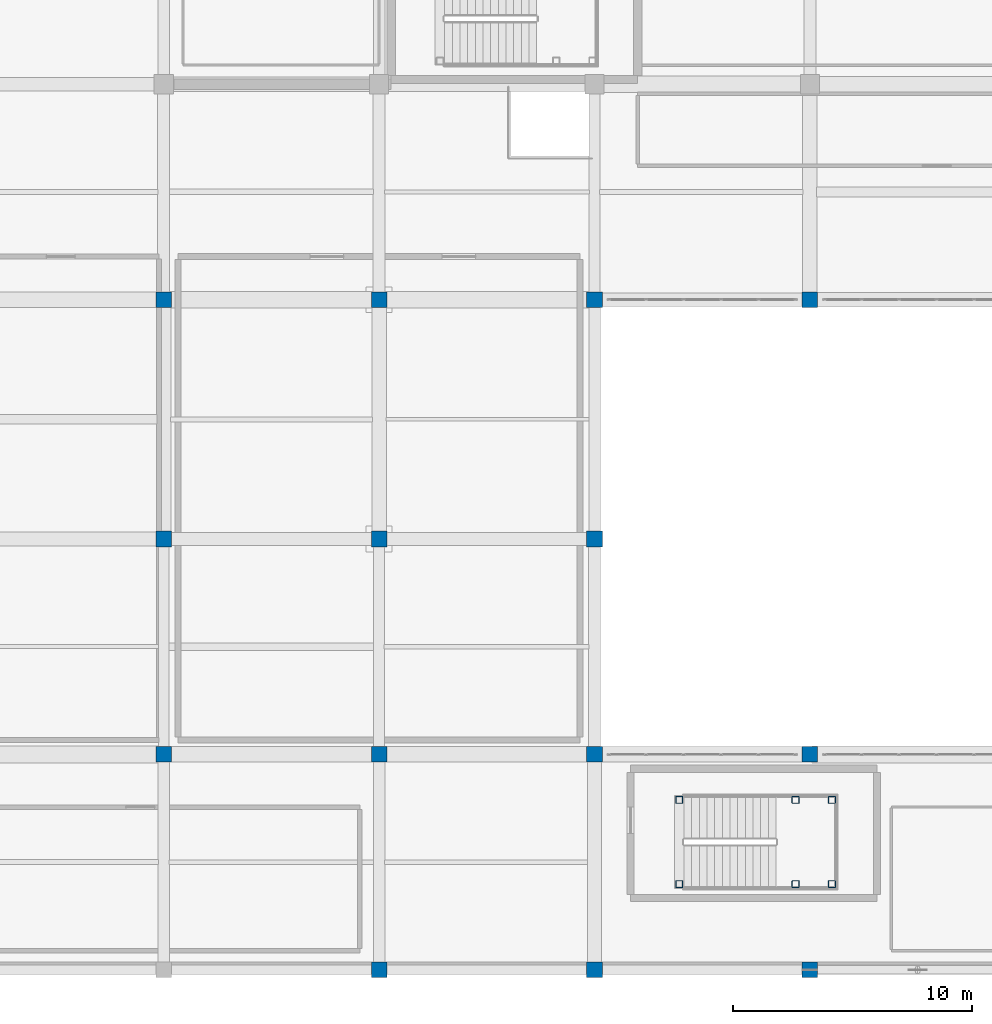
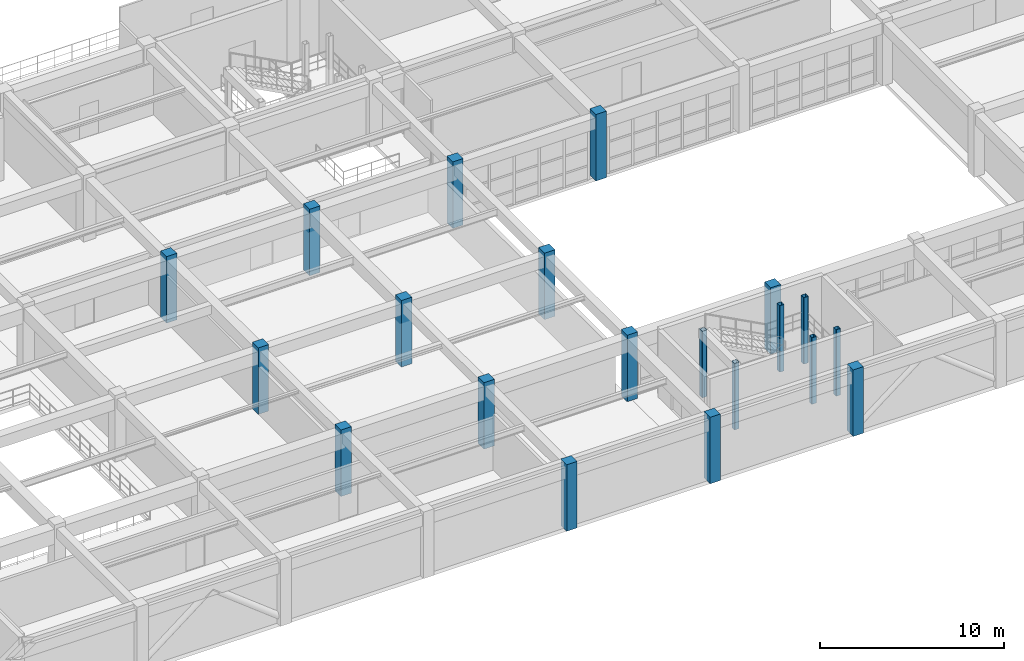
# One storey, part 5 of 133: 20 columns.
"""IFC4 building model written with IfcOpenShell, lengths in metres."""

from ifc_helpers import new_model, si_unit, direction, frame, origin, origin_2d, place, context, subcontext, project, spatial, rectangle, hollow_rectangle, extrude, material, material_profile, profile_set, type_object, element, save


model = new_model("IFC4")

# Units and contexts
model_context = context("Model", 3, precision=1e-05, world=origin(), true_north=direction((0.0, 1.0)))
body_context = subcontext(model_context, "Body", "Model", "MODEL_VIEW")
ifc_project = project(units=[si_unit("LENGTHUNIT", "METRE"), si_unit("AREAUNIT", "SQUARE_METRE"), si_unit("VOLUMEUNIT", "CUBIC_METRE"), si_unit("PLANEANGLEUNIT", "RADIAN"), si_unit("MASSUNIT", "GRAM", prefix="KILO")], contexts=[model_context])

# Site, building, storey
site_placement = place(None, origin())
site = spatial("IfcSite", under=ifc_project, at=site_placement, CompositionType="ELEMENT")
building_placement = place(site_placement, origin())
building = spatial("IfcBuilding", under=site, at=building_placement, Name="Miravela Opera House", CompositionType="ELEMENT")
storey_placement = place(building_placement, frame((0.0, 0.0, 5.10009765625)))
storey = spatial("IfcBuildingStorey", under=building, at=storey_placement, Name="L01", CompositionType="ELEMENT", Elevation=5.10009765625)

# Columns
ifc_material_1 = material(Name="Hollow structural steel ASTM A500 Gr. C", Category="steel")
ifc_material_profile_1 = material_profile(ifc_material_1, hollow_rectangle(XDim=0.300048828125, YDim=0.300048828125, WallThickness=0.01611328125, InnerFilletRadius=0.01611328125, OuterFilletRadius=0.031982421875, at=origin_2d()), Name="HSS300X300X16")
ifc_profile_set_1 = profile_set([ifc_material_profile_1])
column_type_1 = type_object("IfcColumnType", Name="STR-COL-HSS300", PredefinedType="COLUMN", material=ifc_profile_set_1)
for number, where, z_axis, x_axis, name in (
    (1, (120.5400390625, 3.580078125, 0.0), (0.0, 0.0, 1.0), (1.0, 0.0, 0.0), "Stair ST-10 Landing Support Column 1 (L01)"),
    (2, (120.5400390625, 7.10009765625, 0.0), (0.0, 0.0, 1.0), (1.0, 0.0, 0.0), "Stair ST-10 Landing Support Column 2 (L01)"),
    (3, (125.39990234375, 3.580078125, 0.0), (0.0, 0.0, 1.0), (1.0, 0.0, 0.0), "Stair ST-10 Landing Support Column 3 (L01)"),
    (4, (125.39990234375, 7.10009765625, 0.0), (0.0, 0.0, 1.0), (1.0, 0.0, 0.0), "Stair ST-10 Landing Support Column 4 (L01)"),
    (5, (126.919921875, 3.580078125, 0.0), (0.0, 0.0, 1.0), (1.0, 0.0, 0.0), "Stair ST-10 Landing Support Column 5 (L01)"),
    (6, (126.919921875, 7.10009765625, 0.0), (0.0, 0.0, 1.0), (1.0, 0.0, 0.0), "Stair ST-10 Landing Support Column 6 (L01)"),
):
    element("IfcColumn", number, at=place(storey_placement, frame(where, z_axis=z_axis, x_axis=x_axis)), inside=storey, type_object=column_type_1, Name=name, PredefinedType="COLUMN", context=body_context, shape_type="SweptSolid", body=[
        extrude(hollow_rectangle(XDim=0.300048828125, YDim=0.300048828125, WallThickness=0.01611328125, InnerFilletRadius=0.01611328125, OuterFilletRadius=0.031982421875, at=origin_2d()), origin(), (0.0, 0.0, 1.0), 4.419921875),
    ])
ifc_material_2 = material(Name="Concrete C35/45", Category="concrete")
ifc_material_profile_2 = material_profile(ifc_material_2, rectangle(XDim=0.64990234375, YDim=0.64990234375, at=origin_2d()), Name="RC-COL-650X650")
ifc_profile_set_2 = profile_set([ifc_material_profile_2])
column_type_2 = type_object("IfcColumnType", Name="STR-COL-RC650", PredefinedType="COLUMN", material=ifc_profile_set_2)
for number, where, z_axis, x_axis, name in (
    (7, (99.0, 9.0, 0.0), (0.0, 0.0, 1.0), (1.0, 0.0, 0.0), "Column C-12B (L01)"),
    (8, (99.0, 18.0, 0.0), (0.0, 0.0, 1.0), (1.0, 0.0, 0.0), "Column C-12C (L01)"),
    (9, (99.0, 28.0, 0.0), (0.0, 0.0, 1.0), (1.0, 0.0, 0.0), "Column C-12D (L01)"),
    (10, (108.0, 0.0, 0.0), (0.0, 0.0, 1.0), (1.0, 0.0, 0.0), "Column C-13A (L01)"),
    (11, (108.0, 9.0, 0.0), (0.0, 0.0, 1.0), (1.0, 0.0, 0.0), "Column C-13B (L01)"),
    (12, (108.0, 18.0, 0.0), (0.0, 0.0, 1.0), (1.0, 0.0, 0.0), "Column C-13C (L01)"),
    (13, (108.0, 28.0, 0.0), (0.0, 0.0, 1.0), (1.0, 0.0, 0.0), "Column C-13D (L01)"),
    (14, (117.0, 0.0, 0.0), (0.0, 0.0, 1.0), (1.0, 0.0, 0.0), "Column C-14A (L01)"),
    (15, (117.0, 9.0, 0.0), (0.0, 0.0, 1.0), (1.0, 0.0, 0.0), "Column C-14B (L01)"),
    (16, (117.0, 18.0, 0.0), (0.0, 0.0, 1.0), (1.0, 0.0, 0.0), "Column C-14C (L01)"),
    (17, (117.0, 28.0, 0.0), (0.0, 0.0, 1.0), (1.0, 0.0, 0.0), "Column C-14D (L01)"),
    (18, (126.0, 0.0, 0.0), (0.0, 0.0, 1.0), (1.0, 0.0, 0.0), "Column C-15A (L01)"),
    (19, (126.0, 9.0, 0.0), (0.0, 0.0, 1.0), (1.0, 0.0, 0.0), "Column C-15B (L01)"),
    (20, (126.0, 28.0, 0.0), (0.0, 0.0, 1.0), (1.0, 0.0, 0.0), "Column C-15D (L01)"),
):
    element("IfcColumn", number, at=place(storey_placement, frame(where, z_axis=z_axis, x_axis=x_axis)), inside=storey, type_object=column_type_2, Name=name, PredefinedType="COLUMN", context=body_context, shape_type="SweptSolid", body=[
        extrude(rectangle(XDim=0.64990234375, YDim=0.64990234375, at=origin_2d()), origin(), (0.0, 0.0, 1.0), 4.419921875),
    ])

save(model, "model.ifc")
